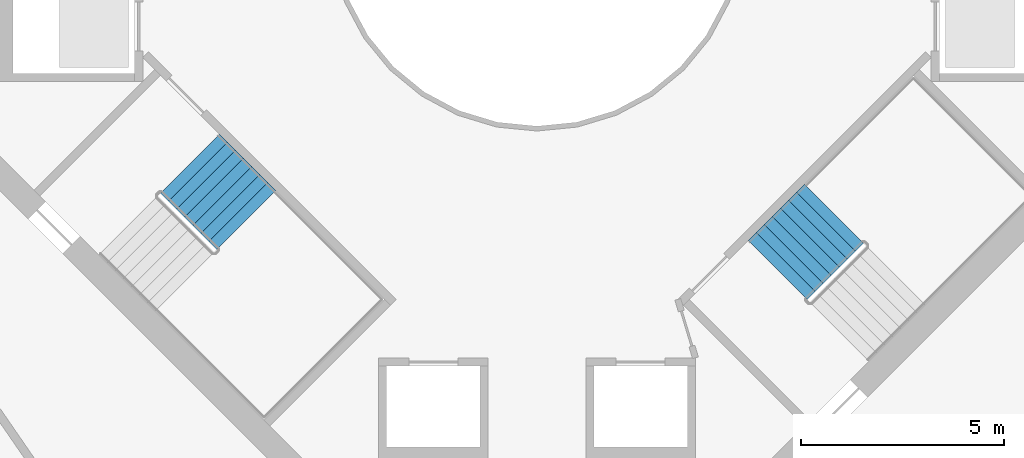
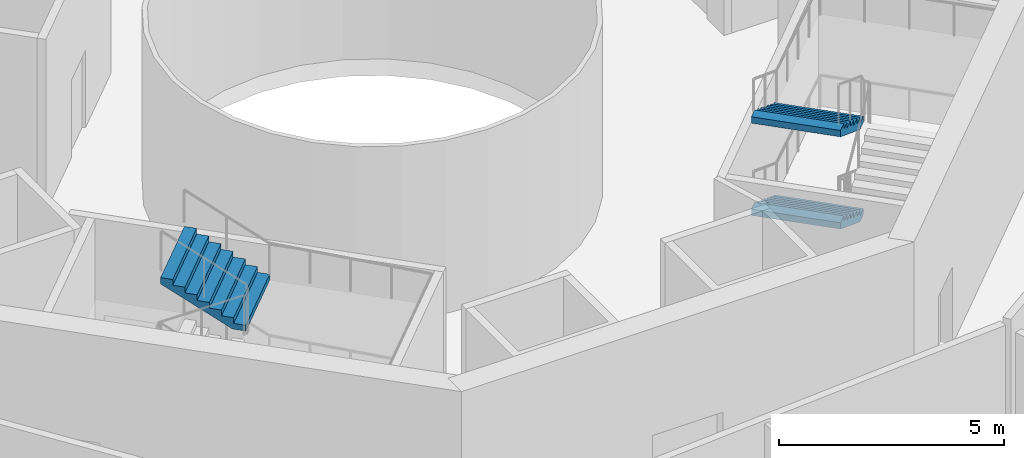
# One storey, part 16 of 21: 3 stair flights, 2 elements without a shape of their own.
"""IFC4 building model written with IfcOpenShell, lengths in metres."""

import ifcopenshell
import ifcopenshell.guid

model = None  # the IFC model being written
_history = None  # IfcOwnerHistory: only IFC2X3 demands one
_inside = {}  # id of a spatial element -> (the spatial element, [elements in it])
_under = {}  # id of a project, library or spatial element -> (it, [spatial elements below it])
_declared = {}  # id of a project -> (the project, [libraries it declares])
_typed = {}  # id of a type object -> (the type object, [elements of that type])
_made_of = {}  # id of a material, layer set ... -> (it, [elements and type objects made of it])


def new_model(schema):
    """Start an empty IFC model of exactly this schema.

    Asked for "IFC4X3", IfcOpenShell would pick the latest addendum, in which some entities
    have other attributes; the version numbers below select the first issue.
    IFC2X3 requires an IfcOwnerHistory on every rooted entity: one is made here for all.
    """
    global model, _history
    if schema == "IFC4X3":
        model = ifcopenshell.file(schema_version=(4, 3, 0, 0))
    else:
        model = ifcopenshell.file(schema=schema)
    _inside.clear()
    _under.clear()
    _declared.clear()
    _typed.clear()
    _made_of.clear()
    _history = None
    if model.schema == "IFC2X3":
        org = make("IfcOrganization", Name="unknown")
        user = make(
            "IfcPersonAndOrganization",
            ThePerson=make("IfcPerson", FamilyName="unknown"),
            TheOrganization=org,
        )
        app = make(
            "IfcApplication",
            ApplicationDeveloper=org,
            Version="unknown",
            ApplicationFullName="unknown",
            ApplicationIdentifier="unknown",
        )
        _history = make(
            "IfcOwnerHistory",
            OwningUser=user,
            OwningApplication=app,
            ChangeAction="ADDED",
            CreationDate=0,
        )
    return model


def make(cls, **values):
    """One entity of the class cls with the attributes given. An attribute that is None is left unset."""
    return model.create_entity(
        cls, **{name: value for name, value in values.items() if value is not None}
    )


def rooted(cls, **values):
    """An entity with a GlobalId (a new one), such as an element, a storey or a relation."""
    return make(cls, GlobalId=ifcopenshell.guid.new(), OwnerHistory=_history, **values)


def si_unit(unit_type, name, prefix=None):
    """IfcSIUnit, for example si_unit("LENGTHUNIT", "METRE", prefix="MILLI")."""
    return make("IfcSIUnit", UnitType=unit_type, Prefix=prefix, Name=name)


def assignment(units):
    """IfcUnitAssignment: the units of a project."""
    return None if units is None else make("IfcUnitAssignment", Units=units)


def point(xyz):
    """IfcCartesianPoint."""
    return None if xyz is None else make("IfcCartesianPoint", Coordinates=xyz)


def direction(xyz):
    """IfcDirection."""
    return None if xyz is None else make("IfcDirection", DirectionRatios=xyz)


def frame(location, z_axis=None, x_axis=None):
    """IfcAxis2Placement3D, a coordinate frame: its origin and axes. An axis left out is left unset."""
    return make(
        "IfcAxis2Placement3D",
        Location=point(location),
        Axis=direction(z_axis),
        RefDirection=direction(x_axis),
    )


def origin():
    """The frame at (0, 0, 0) with its axes left unset."""
    return frame((0.0, 0.0, 0.0))


def place(relative_to, where):
    """IfcLocalPlacement: puts the frame where relative to a parent placement (None: the world)."""
    return make(
        "IfcLocalPlacement", PlacementRelTo=relative_to, RelativePlacement=where
    )


def context(
    kind, dimensions, precision=None, world=None, true_north=None, identifier=None
):
    """IfcGeometricRepresentationContext, for example the 3D "Model" context."""
    return make(
        "IfcGeometricRepresentationContext",
        ContextIdentifier=identifier,
        ContextType=kind,
        CoordinateSpaceDimension=dimensions,
        Precision=precision,
        WorldCoordinateSystem=world,
        TrueNorth=true_north,
    )


def subcontext(parent, identifier, kind, view, scale=None):
    """IfcGeometricRepresentationSubContext, for example "Body" below "Model"."""
    return make(
        "IfcGeometricRepresentationSubContext",
        ContextIdentifier=identifier,
        ContextType=kind,
        ParentContext=parent,
        TargetScale=scale,
        TargetView=view,
    )


def project(units=None, contexts=None):
    """IfcProject with its units and contexts."""
    return rooted(
        "IfcProject",
        Name="project",
        RepresentationContexts=contexts,
        UnitsInContext=assignment(units),
    )


def spatial(cls, under=None, at=None, **own):
    """A site, building, storey or space (cls), placed at a placement, below another one or the project."""
    s = rooted(cls, ObjectPlacement=at, **own)
    if under is not None:
        _under.setdefault(under.id(), (under, []))[1].append(s)
    return s


def point_list(points):
    """IfcCartesianPointList2D or 3D."""
    cls = (
        "IfcCartesianPointList2D" if len(points[0]) == 2 else "IfcCartesianPointList3D"
    )
    return make(cls, CoordList=points)


def triangles(points, corners, closed=None, point_numbers=None):
    """IfcTriangulatedFaceSet: each triangle names its three corners, points numbered from 1."""
    return make(
        "IfcTriangulatedFaceSet",
        Coordinates=point_list(points),
        Closed=closed,
        CoordIndex=corners,
        PnIndex=point_numbers,
    )


def shape(context_of_items, identifier, shape_type, items):
    """IfcShapeRepresentation: the items that make up one representation, for example the "Body"."""
    return make(
        "IfcShapeRepresentation",
        ContextOfItems=context_of_items,
        RepresentationIdentifier=identifier,
        RepresentationType=shape_type,
        Items=items,
    )


def material(Name=None, Category=None):
    """IfcMaterial."""
    return make("IfcMaterial", Name=Name, Category=Category)


def made_of(thing, what):
    """Note that an element or type object is made of a material, layer set ...; save() writes the relation."""
    if what is not None:
        _made_of.setdefault(what.id(), (what, []))[1].append(thing)
    return thing


def type_object(cls, material=None, **own):
    """A type object (cls), such as IfcWallType, which elements share."""
    return made_of(rooted(cls, **own), material)


def element(
    cls,
    number,
    at=None,
    inside=None,
    cuts=None,
    type_object=None,
    material=None,
    context=None,
    identifier="Body",
    shape_type=None,
    held_by="IfcProductDefinitionShape",
    body=None,
    shapes=None,
    **own,
):
    """One element of the class cls, such as IfcWall. Its Tag is "e" and its number.

    at: its placement. inside: the storey or other place that contains it. cuts: it is an
    opening in that element (IfcRelVoidsElement). A single representation is given by context,
    identifier, shape_type and body (its items); several are given by shapes. held_by: the class
    of the entity that holds the representations. save() writes the other relations.
    """
    e = rooted(cls, Tag="e%d" % number, ObjectPlacement=at, **own)
    if body is not None:
        shapes = [shape(context, identifier, shape_type, body)]
    if shapes is not None:
        e.Representation = make(held_by, Representations=shapes)
    if inside is not None:
        _inside.setdefault(inside.id(), (inside, []))[1].append(e)
    if cuts is not None:
        rooted(
            "IfcRelVoidsElement", RelatingBuildingElement=cuts, RelatedOpeningElement=e
        )
    if type_object is not None:
        _typed.setdefault(type_object.id(), (type_object, []))[1].append(e)
    return made_of(e, material)


def aggregate(whole, parts):
    """IfcRelAggregates: a whole, such as a stair, and the parts it consists of."""
    return rooted("IfcRelAggregates", RelatingObject=whole, RelatedObjects=parts)


def save(model, path):
    """Write the relations noted so far, then the file.

    IfcRelAggregates (storeys below a building ...), IfcRelContainedInSpatialStructure (elements
    in a storey), IfcRelDefinesByType, IfcRelAssociatesMaterial and IfcRelDeclares: one each for
    every whole, place, type object, material and project.
    """
    for whole, parts in _under.values():
        aggregate(whole, parts)
    for where, things in _inside.values():
        rooted(
            "IfcRelContainedInSpatialStructure",
            RelatedElements=things,
            RelatingStructure=where,
        )
    for kind, things in _typed.values():
        rooted("IfcRelDefinesByType", RelatedObjects=things, RelatingType=kind)
    for what, things in _made_of.values():
        rooted("IfcRelAssociatesMaterial", RelatedObjects=things, RelatingMaterial=what)
    for by, libraries in _declared.values():
        rooted("IfcRelDeclares", RelatingContext=by, RelatedDefinitions=libraries)
    model.write(path)


model = new_model("IFC4")

# Units and contexts
model_context = context("Model", 3, precision=1e-05, world=origin(), true_north=direction((0.0, 1.0)))
body_context = subcontext(model_context, "Body", "Model", "MODEL_VIEW")
ifc_project = project(units=[si_unit("LENGTHUNIT", "METRE"), si_unit("AREAUNIT", "SQUARE_METRE"), si_unit("VOLUMEUNIT", "CUBIC_METRE"), si_unit("PLANEANGLEUNIT", "RADIAN"), si_unit("MASSUNIT", "GRAM", prefix="KILO")], contexts=[model_context])

# Site, building, storey
site_placement = place(None, origin())
site = spatial("IfcSite", under=ifc_project, at=site_placement, CompositionType="ELEMENT")
building_placement = place(site_placement, origin())
building = spatial("IfcBuilding", under=site, at=building_placement, Name="Verdalira Terraces Hotel", CompositionType="ELEMENT")
storey_placement = place(building_placement, frame((0.0, 0.0, 175.0)))
storey = spatial("IfcBuildingStorey", under=building, at=storey_placement, Name="L42", CompositionType="ELEMENT", Elevation=175.0)

# Stair, stair flight
ifc_material_1 = material(Name="Concrete C40", Category="concrete")
stair_type = type_object("IfcStairType", Name="Core stair 32 risers 2050 mm wide", PredefinedType="HALF_TURN_STAIR", material=ifc_material_1)
stair_1_placement = place(storey_placement, origin())
stair_1 = element("IfcStair", 1, at=stair_1_placement, inside=storey, type_object=stair_type, Name="L42 Exit stair ST2", PredefinedType="HALF_TURN_STAIR")
ifc_material_2 = material(Name="Concrete C40", Category="concrete")
stair_flight_type = type_object("IfcStairFlightType", Name="Core stair flight 32 risers 2050 mm wide", PredefinedType="STRAIGHT", material=ifc_material_2)
stair_flight_1_placement = place(storey_placement, frame((-7.152344, -7.307861, 3.75), z_axis=(0.0, 0.0, 1.0), x_axis=(-0.707106781, 0.707106781, 0.0)))
stair_flight_1 = element("IfcStairFlight", 2, at=stair_flight_1_placement, type_object=stair_flight_type, Name="ST2 flight 4", NumberOfRisers=8, NumberOfTreads=7, PredefinedType="STRAIGHT", RiserHeight=0.15625, TreadLength=0.28, context=body_context, shape_type="Tessellation", body=[
    triangles([(0.0, 1.025024, 0.0), (0.307617, 1.025024, 0.0), (1.959961, 1.025024, 0.922119), (0.0, -1.025024, 0.0), (0.307617, -1.025024, 0.0), (1.959961, -1.025024, 0.922119), (1.959961, 1.025024, 1.09375), (1.679932, 1.025024, 1.09375), (1.959961, -1.025024, 1.09375), (1.679932, -1.025024, 1.09375), (1.679932, 1.025024, 0.9375), (1.679932, -1.025024, 0.9375), (1.399902, 1.025024, 0.9375), (1.399902, -1.025024, 0.9375), (1.399902, 1.025024, 0.78125), (1.399902, -1.025024, 0.78125), (1.120117, 1.025024, 0.78125), (1.120117, 1.025024, 0.625), (1.120117, -1.025024, 0.78125), (1.120117, -1.025024, 0.625), (0.840088, 1.025024, 0.625), (0.840088, 1.025024, 0.46875), (0.840088, -1.025024, 0.625), (0.840088, -1.025024, 0.46875), (0.560059, 1.025024, 0.46875), (0.560059, 1.025024, 0.3125), (0.560059, -1.025024, 0.46875), (0.560059, -1.025024, 0.3125), (0.280029, 1.025024, 0.3125), (0.280029, 1.025024, 0.15625), (0.280029, -1.025024, 0.3125), (0.280029, -1.025024, 0.15625), (0.0, 1.025024, 0.15625), (0.0, -1.025024, 0.15625), (0.0, -0.96096, 0.0), (0.0, -0.96096, 0.15625), (0.0, -0.896896, 0.0), (0.0, -0.896896, 0.15625), (0.0, -0.832832, 0.0), (0.0, -0.832832, 0.15625), (0.0, -0.768768, 0.0), (0.0, -0.768768, 0.15625), (0.0, -0.704704, 0.0), (0.0, -0.704704, 0.15625), (0.0, -0.64064, 0.0), (0.0, -0.64064, 0.15625), (0.0, -0.576576, 0.0), (0.0, -0.576576, 0.15625), (0.0, -0.512512, 0.0), (0.0, -0.512512, 0.15625), (0.0, -0.448448, 0.0), (0.0, -0.448448, 0.15625), (0.0, -0.384384, 0.0), (0.0, -0.384384, 0.15625), (0.0, -0.32032, 0.0), (0.0, -0.32032, 0.15625), (0.0, -0.256256, 0.0), (0.0, -0.256256, 0.15625), (0.0, -0.192192, 0.0), (0.0, -0.192192, 0.15625), (0.0, -0.128128, 0.0), (0.0, -0.128128, 0.15625), (0.0, -0.064064, 0.0), (0.0, -0.064064, 0.15625), (0.0, 0.0, 0.0), (0.0, 0.0, 0.15625), (0.0, 0.064064, 0.0), (0.0, 0.064064, 0.15625), (0.0, 0.128128, 0.0), (0.0, 0.128128, 0.15625), (0.0, 0.192192, 0.0), (0.0, 0.192192, 0.15625), (0.0, 0.256256, 0.0), (0.0, 0.256256, 0.15625), (0.0, 0.32032, 0.0), (0.0, 0.32032, 0.15625), (0.0, 0.384384, 0.0), (0.0, 0.384384, 0.15625), (0.0, 0.448448, 0.0), (0.0, 0.448448, 0.15625), (0.0, 0.512512, 0.0), (0.0, 0.512512, 0.15625), (0.0, 0.576576, 0.0), (0.0, 0.576576, 0.15625), (0.0, 0.64064, 0.0), (0.0, 0.64064, 0.15625), (0.0, 0.704704, 0.0), (0.0, 0.704704, 0.15625), (0.0, 0.768768, 0.0), (0.0, 0.768768, 0.15625), (0.0, 0.832832, 0.0), (0.0, 0.832832, 0.15625), (0.0, 0.896896, 0.0), (0.0, 0.896896, 0.15625), (0.0, 0.96096, 0.0), (0.0, 0.96096, 0.15625), (1.959961, -0.96096, 1.09375), (1.959961, -0.896896, 1.09375), (1.959961, -0.832832, 1.09375), (1.959961, -0.768768, 1.09375), (1.959961, -0.704704, 1.09375), (1.959961, -0.64064, 1.09375), (1.959961, -0.576576, 1.09375), (1.959961, -0.512512, 1.09375), (1.959961, -0.448448, 1.09375), (1.959961, -0.384384, 1.09375), (1.959961, -0.32032, 1.09375), (1.959961, -0.256256, 1.09375), (1.959961, -0.192192, 1.09375), (1.959961, -0.128128, 1.09375), (1.959961, -0.064064, 1.09375), (1.959961, 0.0, 1.09375), (1.959961, 0.064064, 1.09375), (1.959961, 0.128128, 1.09375), (1.959961, 0.192192, 1.09375), (1.959961, 0.256256, 1.09375), (1.959961, 0.32032, 1.09375), (1.959961, 0.384384, 1.09375), (1.959961, 0.448448, 1.09375), (1.959961, 0.512512, 1.09375), (1.959961, 0.576576, 1.09375), (1.959961, 0.64064, 1.09375), (1.959961, 0.704704, 1.09375), (1.959961, 0.768768, 1.09375), (1.959961, 0.832832, 1.09375), (1.959961, 0.896896, 1.09375), (1.959961, 0.96096, 1.09375), (1.959961, -0.96096, 0.922119), (1.959961, -0.896896, 0.922119), (1.959961, -0.832832, 0.922119), (1.959961, -0.768768, 0.922119), (1.959961, -0.704704, 0.922119), (1.959961, -0.64064, 0.922119), (1.959961, -0.576576, 0.922119), (1.959961, -0.512512, 0.922119), (1.959961, -0.448448, 0.922119), (1.959961, -0.384384, 0.922119), (1.959961, -0.32032, 0.922119), (1.959961, -0.256256, 0.922119), (1.959961, -0.192192, 0.922119), (1.959961, -0.128128, 0.922119), (1.959961, -0.064064, 0.922119), (1.959961, 0.0, 0.922119), (1.959961, 0.064064, 0.922119), (1.959961, 0.128128, 0.922119), (1.959961, 0.192192, 0.922119), (1.959961, 0.256256, 0.922119), (1.959961, 0.32032, 0.922119), (1.959961, 0.384384, 0.922119), (1.959961, 0.448448, 0.922119), (1.959961, 0.512512, 0.922119), (1.959961, 0.576576, 0.922119), (1.959961, 0.64064, 0.922119), (1.959961, 0.704704, 0.922119), (1.959961, 0.768768, 0.922119), (1.959961, 0.832832, 0.922119), (1.959961, 0.896896, 0.922119), (1.959961, 0.96096, 0.922119)], [[1, 3, 2], [4, 5, 6], [3, 8, 7], [6, 9, 10], [3, 11, 8], [6, 10, 12], [3, 13, 11], [6, 12, 14], [3, 15, 13], [6, 14, 16], [15, 18, 17], [16, 19, 20], [3, 18, 15], [6, 16, 20], [18, 22, 21], [20, 23, 24], [3, 22, 18], [6, 20, 24], [22, 26, 25], [24, 27, 28], [3, 26, 22], [6, 24, 28], [26, 30, 29], [28, 31, 32], [3, 30, 26], [6, 28, 32], [1, 30, 3], [4, 6, 32], [30, 1, 33], [32, 34, 4], [4, 36, 35], [4, 34, 36], [35, 38, 37], [35, 36, 38], [37, 40, 39], [37, 38, 40], [39, 42, 41], [39, 40, 42], [41, 44, 43], [41, 42, 44], [43, 46, 45], [43, 44, 46], [45, 48, 47], [45, 46, 48], [47, 50, 49], [47, 48, 50], [49, 52, 51], [49, 50, 52], [51, 54, 53], [51, 52, 54], [53, 56, 55], [53, 54, 56], [55, 58, 57], [55, 56, 58], [57, 60, 59], [57, 58, 60], [59, 62, 61], [59, 60, 62], [61, 64, 63], [61, 62, 64], [63, 66, 65], [63, 64, 66], [65, 68, 67], [65, 66, 68], [67, 70, 69], [67, 68, 70], [69, 72, 71], [69, 70, 72], [71, 74, 73], [71, 72, 74], [73, 76, 75], [73, 74, 76], [75, 78, 77], [75, 76, 78], [77, 80, 79], [77, 78, 80], [79, 82, 81], [79, 80, 82], [81, 84, 83], [81, 82, 84], [83, 86, 85], [83, 84, 86], [85, 88, 87], [85, 86, 88], [87, 90, 89], [87, 88, 90], [89, 92, 91], [89, 90, 92], [91, 94, 93], [91, 92, 94], [93, 96, 95], [93, 94, 96], [95, 33, 1], [95, 96, 33], [34, 32, 36], [36, 32, 38], [38, 32, 40], [40, 32, 42], [42, 32, 44], [44, 32, 46], [46, 32, 48], [48, 32, 50], [50, 32, 52], [52, 32, 54], [54, 32, 56], [56, 32, 58], [58, 32, 60], [60, 32, 62], [62, 32, 64], [64, 32, 66], [66, 32, 68], [68, 32, 70], [70, 32, 72], [72, 32, 74], [74, 32, 76], [76, 32, 78], [78, 32, 80], [80, 32, 82], [82, 32, 84], [84, 32, 86], [86, 32, 88], [88, 32, 90], [90, 32, 92], [92, 32, 94], [94, 32, 96], [96, 32, 33], [33, 32, 30], [32, 29, 30], [32, 31, 29], [31, 26, 29], [31, 28, 26], [28, 25, 26], [28, 27, 25], [27, 22, 25], [27, 24, 22], [24, 21, 22], [24, 23, 21], [23, 18, 21], [23, 20, 18], [20, 17, 18], [20, 19, 17], [19, 15, 17], [19, 16, 15], [16, 13, 15], [16, 14, 13], [14, 11, 13], [14, 12, 11], [12, 8, 11], [12, 10, 8], [9, 97, 10], [97, 98, 10], [98, 99, 10], [99, 100, 10], [100, 101, 10], [101, 102, 10], [102, 103, 10], [103, 104, 10], [104, 105, 10], [105, 106, 10], [106, 107, 10], [107, 108, 10], [108, 109, 10], [109, 110, 10], [110, 111, 10], [111, 112, 10], [112, 113, 10], [113, 114, 10], [114, 115, 10], [115, 116, 10], [116, 117, 10], [117, 118, 10], [118, 119, 10], [119, 120, 10], [120, 121, 10], [121, 122, 10], [122, 123, 10], [123, 124, 10], [124, 125, 10], [125, 126, 10], [126, 127, 10], [127, 7, 10], [7, 8, 10], [9, 128, 97], [9, 6, 128], [97, 129, 98], [97, 128, 129], [98, 130, 99], [98, 129, 130], [99, 131, 100], [99, 130, 131], [100, 132, 101], [100, 131, 132], [101, 133, 102], [101, 132, 133], [102, 134, 103], [102, 133, 134], [103, 135, 104], [103, 134, 135], [104, 136, 105], [104, 135, 136], [105, 137, 106], [105, 136, 137], [106, 138, 107], [106, 137, 138], [107, 139, 108], [107, 138, 139], [108, 140, 109], [108, 139, 140], [109, 141, 110], [109, 140, 141], [110, 142, 111], [110, 141, 142], [111, 143, 112], [111, 142, 143], [112, 144, 113], [112, 143, 144], [113, 145, 114], [113, 144, 145], [114, 146, 115], [114, 145, 146], [115, 147, 116], [115, 146, 147], [116, 148, 117], [116, 147, 148], [117, 149, 118], [117, 148, 149], [118, 150, 119], [118, 149, 150], [119, 151, 120], [119, 150, 151], [120, 152, 121], [120, 151, 152], [121, 153, 122], [121, 152, 153], [122, 154, 123], [122, 153, 154], [123, 155, 124], [123, 154, 155], [124, 156, 125], [124, 155, 156], [125, 157, 126], [125, 156, 157], [126, 158, 127], [126, 157, 158], [127, 3, 7], [127, 158, 3], [6, 5, 128], [128, 5, 129], [129, 5, 130], [130, 5, 131], [131, 5, 132], [132, 5, 133], [133, 5, 134], [134, 5, 135], [135, 5, 136], [136, 5, 137], [137, 5, 138], [138, 5, 139], [139, 5, 140], [140, 5, 141], [141, 5, 142], [142, 5, 143], [143, 5, 144], [144, 5, 145], [145, 5, 146], [146, 5, 147], [147, 5, 148], [148, 5, 149], [149, 5, 150], [150, 5, 151], [151, 5, 152], [152, 5, 153], [153, 5, 154], [154, 5, 155], [155, 5, 156], [156, 5, 157], [157, 5, 158], [158, 5, 3], [3, 5, 2], [4, 35, 5], [35, 37, 5], [37, 39, 5], [39, 41, 5], [41, 43, 5], [43, 45, 5], [45, 47, 5], [47, 49, 5], [49, 51, 5], [51, 53, 5], [53, 55, 5], [55, 57, 5], [57, 59, 5], [59, 61, 5], [61, 63, 5], [63, 65, 5], [65, 67, 5], [67, 69, 5], [69, 71, 5], [71, 73, 5], [73, 75, 5], [75, 77, 5], [77, 79, 5], [79, 81, 5], [81, 83, 5], [83, 85, 5], [85, 87, 5], [87, 89, 5], [89, 91, 5], [91, 93, 5], [93, 95, 5], [95, 1, 5], [1, 2, 5]], closed=True),
])
aggregate(stair_1, [stair_flight_1])

# Stair, stair flights
stair_2_placement = place(storey_placement, origin())
stair_2 = element("IfcStair", 3, at=stair_2_placement, inside=storey, type_object=stair_type, Name="L42 Exit stair ST3", PredefinedType="HALF_TURN_STAIR")
stair_flight_2_placement = place(storey_placement, frame((7.307861, -7.152344, 1.25), z_axis=(0.0, 0.0, 1.0), x_axis=(-0.707106781, -0.707106781, 0.0)))
stair_flight_2 = element("IfcStairFlight", 4, at=stair_flight_2_placement, type_object=stair_flight_type, Name="ST3 flight 2", NumberOfRisers=8, NumberOfTreads=7, PredefinedType="STRAIGHT", RiserHeight=0.15625, TreadLength=0.28, context=body_context, shape_type="Tessellation", body=[
    triangles([(0.0, 1.025024, 0.0), (0.307617, 1.025024, 0.0), (1.959961, 1.025024, 0.922119), (0.0, -1.025024, 0.0), (0.307617, -1.025024, 0.0), (1.959961, -1.025024, 0.922119), (1.959961, 1.025024, 1.09375), (1.679932, 1.025024, 1.09375), (1.959961, -1.025024, 1.09375), (1.679932, -1.025024, 1.09375), (1.679932, 1.025024, 0.9375), (1.679932, -1.025024, 0.9375), (1.399902, 1.025024, 0.9375), (1.399902, -1.025024, 0.9375), (1.399902, 1.025024, 0.78125), (1.399902, -1.025024, 0.78125), (1.120117, 1.025024, 0.78125), (1.120117, 1.025024, 0.625), (1.120117, -1.025024, 0.78125), (1.120117, -1.025024, 0.625), (0.840088, 1.025024, 0.625), (0.840088, 1.025024, 0.46875), (0.840088, -1.025024, 0.625), (0.840088, -1.025024, 0.46875), (0.560059, 1.025024, 0.46875), (0.560059, 1.025024, 0.3125), (0.560059, -1.025024, 0.46875), (0.560059, -1.025024, 0.3125), (0.280029, 1.025024, 0.3125), (0.280029, 1.025024, 0.15625), (0.280029, -1.025024, 0.3125), (0.280029, -1.025024, 0.15625), (0.0, 1.025024, 0.15625), (0.0, -1.025024, 0.15625), (0.0, -0.96096, 0.0), (0.0, -0.96096, 0.15625), (0.0, -0.896896, 0.0), (0.0, -0.896896, 0.15625), (0.0, -0.832832, 0.0), (0.0, -0.832832, 0.15625), (0.0, -0.768768, 0.0), (0.0, -0.768768, 0.15625), (0.0, -0.704704, 0.0), (0.0, -0.704704, 0.15625), (0.0, -0.64064, 0.0), (0.0, -0.64064, 0.15625), (0.0, -0.576576, 0.0), (0.0, -0.576576, 0.15625), (0.0, -0.512512, 0.0), (0.0, -0.512512, 0.15625), (0.0, -0.448448, 0.0), (0.0, -0.448448, 0.15625), (0.0, -0.384384, 0.0), (0.0, -0.384384, 0.15625), (0.0, -0.32032, 0.0), (0.0, -0.32032, 0.15625), (0.0, -0.256256, 0.0), (0.0, -0.256256, 0.15625), (0.0, -0.192192, 0.0), (0.0, -0.192192, 0.15625), (0.0, -0.128128, 0.0), (0.0, -0.128128, 0.15625), (0.0, -0.064064, 0.0), (0.0, -0.064064, 0.15625), (0.0, 0.0, 0.0), (0.0, 0.0, 0.15625), (0.0, 0.064064, 0.0), (0.0, 0.064064, 0.15625), (0.0, 0.128128, 0.0), (0.0, 0.128128, 0.15625), (0.0, 0.192192, 0.0), (0.0, 0.192192, 0.15625), (0.0, 0.256256, 0.0), (0.0, 0.256256, 0.15625), (0.0, 0.32032, 0.0), (0.0, 0.32032, 0.15625), (0.0, 0.384384, 0.0), (0.0, 0.384384, 0.15625), (0.0, 0.448448, 0.0), (0.0, 0.448448, 0.15625), (0.0, 0.512512, 0.0), (0.0, 0.512512, 0.15625), (0.0, 0.576576, 0.0), (0.0, 0.576576, 0.15625), (0.0, 0.64064, 0.0), (0.0, 0.64064, 0.15625), (0.0, 0.704704, 0.0), (0.0, 0.704704, 0.15625), (0.0, 0.768768, 0.0), (0.0, 0.768768, 0.15625), (0.0, 0.832832, 0.0), (0.0, 0.832832, 0.15625), (0.0, 0.896896, 0.0), (0.0, 0.896896, 0.15625), (0.0, 0.96096, 0.0), (0.0, 0.96096, 0.15625), (1.959961, -0.96096, 1.09375), (1.959961, -0.896896, 1.09375), (1.959961, -0.832832, 1.09375), (1.959961, -0.768768, 1.09375), (1.959961, -0.704704, 1.09375), (1.959961, -0.64064, 1.09375), (1.959961, -0.576576, 1.09375), (1.959961, -0.512512, 1.09375), (1.959961, -0.448448, 1.09375), (1.959961, -0.384384, 1.09375), (1.959961, -0.32032, 1.09375), (1.959961, -0.256256, 1.09375), (1.959961, -0.192192, 1.09375), (1.959961, -0.128128, 1.09375), (1.959961, -0.064064, 1.09375), (1.959961, 0.0, 1.09375), (1.959961, 0.064064, 1.09375), (1.959961, 0.128128, 1.09375), (1.959961, 0.192192, 1.09375), (1.959961, 0.256256, 1.09375), (1.959961, 0.32032, 1.09375), (1.959961, 0.384384, 1.09375), (1.959961, 0.448448, 1.09375), (1.959961, 0.512512, 1.09375), (1.959961, 0.576576, 1.09375), (1.959961, 0.64064, 1.09375), (1.959961, 0.704704, 1.09375), (1.959961, 0.768768, 1.09375), (1.959961, 0.832832, 1.09375), (1.959961, 0.896896, 1.09375), (1.959961, 0.96096, 1.09375), (1.959961, -0.96096, 0.922119), (1.959961, -0.896896, 0.922119), (1.959961, -0.832832, 0.922119), (1.959961, -0.768768, 0.922119), (1.959961, -0.704704, 0.922119), (1.959961, -0.64064, 0.922119), (1.959961, -0.576576, 0.922119), (1.959961, -0.512512, 0.922119), (1.959961, -0.448448, 0.922119), (1.959961, -0.384384, 0.922119), (1.959961, -0.32032, 0.922119), (1.959961, -0.256256, 0.922119), (1.959961, -0.192192, 0.922119), (1.959961, -0.128128, 0.922119), (1.959961, -0.064064, 0.922119), (1.959961, 0.0, 0.922119), (1.959961, 0.064064, 0.922119), (1.959961, 0.128128, 0.922119), (1.959961, 0.192192, 0.922119), (1.959961, 0.256256, 0.922119), (1.959961, 0.32032, 0.922119), (1.959961, 0.384384, 0.922119), (1.959961, 0.448448, 0.922119), (1.959961, 0.512512, 0.922119), (1.959961, 0.576576, 0.922119), (1.959961, 0.64064, 0.922119), (1.959961, 0.704704, 0.922119), (1.959961, 0.768768, 0.922119), (1.959961, 0.832832, 0.922119), (1.959961, 0.896896, 0.922119), (1.959961, 0.96096, 0.922119)], [[1, 3, 2], [4, 5, 6], [3, 8, 7], [6, 9, 10], [3, 11, 8], [6, 10, 12], [3, 13, 11], [6, 12, 14], [3, 15, 13], [6, 14, 16], [15, 18, 17], [16, 19, 20], [3, 18, 15], [6, 16, 20], [18, 22, 21], [20, 23, 24], [3, 22, 18], [6, 20, 24], [22, 26, 25], [24, 27, 28], [3, 26, 22], [6, 24, 28], [26, 30, 29], [28, 31, 32], [3, 30, 26], [6, 28, 32], [1, 30, 3], [4, 6, 32], [30, 1, 33], [32, 34, 4], [4, 36, 35], [4, 34, 36], [35, 38, 37], [35, 36, 38], [37, 40, 39], [37, 38, 40], [39, 42, 41], [39, 40, 42], [41, 44, 43], [41, 42, 44], [43, 46, 45], [43, 44, 46], [45, 48, 47], [45, 46, 48], [47, 50, 49], [47, 48, 50], [49, 52, 51], [49, 50, 52], [51, 54, 53], [51, 52, 54], [53, 56, 55], [53, 54, 56], [55, 58, 57], [55, 56, 58], [57, 60, 59], [57, 58, 60], [59, 62, 61], [59, 60, 62], [61, 64, 63], [61, 62, 64], [63, 66, 65], [63, 64, 66], [65, 68, 67], [65, 66, 68], [67, 70, 69], [67, 68, 70], [69, 72, 71], [69, 70, 72], [71, 74, 73], [71, 72, 74], [73, 76, 75], [73, 74, 76], [75, 78, 77], [75, 76, 78], [77, 80, 79], [77, 78, 80], [79, 82, 81], [79, 80, 82], [81, 84, 83], [81, 82, 84], [83, 86, 85], [83, 84, 86], [85, 88, 87], [85, 86, 88], [87, 90, 89], [87, 88, 90], [89, 92, 91], [89, 90, 92], [91, 94, 93], [91, 92, 94], [93, 96, 95], [93, 94, 96], [95, 33, 1], [95, 96, 33], [34, 32, 36], [36, 32, 38], [38, 32, 40], [40, 32, 42], [42, 32, 44], [44, 32, 46], [46, 32, 48], [48, 32, 50], [50, 32, 52], [52, 32, 54], [54, 32, 56], [56, 32, 58], [58, 32, 60], [60, 32, 62], [62, 32, 64], [64, 32, 66], [66, 32, 68], [68, 32, 70], [70, 32, 72], [72, 32, 74], [74, 32, 76], [76, 32, 78], [78, 32, 80], [80, 32, 82], [82, 32, 84], [84, 32, 86], [86, 32, 88], [88, 32, 90], [90, 32, 92], [92, 32, 94], [94, 32, 96], [96, 32, 33], [33, 32, 30], [32, 29, 30], [32, 31, 29], [31, 26, 29], [31, 28, 26], [28, 25, 26], [28, 27, 25], [27, 22, 25], [27, 24, 22], [24, 21, 22], [24, 23, 21], [23, 18, 21], [23, 20, 18], [20, 17, 18], [20, 19, 17], [19, 15, 17], [19, 16, 15], [16, 13, 15], [16, 14, 13], [14, 11, 13], [14, 12, 11], [12, 8, 11], [12, 10, 8], [9, 97, 10], [97, 98, 10], [98, 99, 10], [99, 100, 10], [100, 101, 10], [101, 102, 10], [102, 103, 10], [103, 104, 10], [104, 105, 10], [105, 106, 10], [106, 107, 10], [107, 108, 10], [108, 109, 10], [109, 110, 10], [110, 111, 10], [111, 112, 10], [112, 113, 10], [113, 114, 10], [114, 115, 10], [115, 116, 10], [116, 117, 10], [117, 118, 10], [118, 119, 10], [119, 120, 10], [120, 121, 10], [121, 122, 10], [122, 123, 10], [123, 124, 10], [124, 125, 10], [125, 126, 10], [126, 127, 10], [127, 7, 10], [7, 8, 10], [9, 128, 97], [9, 6, 128], [97, 129, 98], [97, 128, 129], [98, 130, 99], [98, 129, 130], [99, 131, 100], [99, 130, 131], [100, 132, 101], [100, 131, 132], [101, 133, 102], [101, 132, 133], [102, 134, 103], [102, 133, 134], [103, 135, 104], [103, 134, 135], [104, 136, 105], [104, 135, 136], [105, 137, 106], [105, 136, 137], [106, 138, 107], [106, 137, 138], [107, 139, 108], [107, 138, 139], [108, 140, 109], [108, 139, 140], [109, 141, 110], [109, 140, 141], [110, 142, 111], [110, 141, 142], [111, 143, 112], [111, 142, 143], [112, 144, 113], [112, 143, 144], [113, 145, 114], [113, 144, 145], [114, 146, 115], [114, 145, 146], [115, 147, 116], [115, 146, 147], [116, 148, 117], [116, 147, 148], [117, 149, 118], [117, 148, 149], [118, 150, 119], [118, 149, 150], [119, 151, 120], [119, 150, 151], [120, 152, 121], [120, 151, 152], [121, 153, 122], [121, 152, 153], [122, 154, 123], [122, 153, 154], [123, 155, 124], [123, 154, 155], [124, 156, 125], [124, 155, 156], [125, 157, 126], [125, 156, 157], [126, 158, 127], [126, 157, 158], [127, 3, 7], [127, 158, 3], [6, 5, 128], [128, 5, 129], [129, 5, 130], [130, 5, 131], [131, 5, 132], [132, 5, 133], [133, 5, 134], [134, 5, 135], [135, 5, 136], [136, 5, 137], [137, 5, 138], [138, 5, 139], [139, 5, 140], [140, 5, 141], [141, 5, 142], [142, 5, 143], [143, 5, 144], [144, 5, 145], [145, 5, 146], [146, 5, 147], [147, 5, 148], [148, 5, 149], [149, 5, 150], [150, 5, 151], [151, 5, 152], [152, 5, 153], [153, 5, 154], [154, 5, 155], [155, 5, 156], [156, 5, 157], [157, 5, 158], [158, 5, 3], [3, 5, 2], [4, 35, 5], [35, 37, 5], [37, 39, 5], [39, 41, 5], [41, 43, 5], [43, 45, 5], [45, 47, 5], [47, 49, 5], [49, 51, 5], [51, 53, 5], [53, 55, 5], [55, 57, 5], [57, 59, 5], [59, 61, 5], [61, 63, 5], [63, 65, 5], [65, 67, 5], [67, 69, 5], [69, 71, 5], [71, 73, 5], [73, 75, 5], [75, 77, 5], [77, 79, 5], [79, 81, 5], [81, 83, 5], [83, 85, 5], [85, 87, 5], [87, 89, 5], [89, 91, 5], [91, 93, 5], [93, 95, 5], [95, 1, 5], [1, 2, 5]], closed=True),
])
stair_flight_3_placement = place(storey_placement, frame((7.307861, -7.152344, 3.75), z_axis=(0.0, 0.0, 1.0), x_axis=(-0.707106781, -0.707106781, 0.0)))
stair_flight_3 = element("IfcStairFlight", 5, at=stair_flight_3_placement, type_object=stair_flight_type, Name="ST3 flight 4", NumberOfRisers=8, NumberOfTreads=7, PredefinedType="STRAIGHT", RiserHeight=0.15625, TreadLength=0.28, context=body_context, shape_type="Tessellation", body=[
    triangles([(0.0, 1.025024, 0.0), (0.307617, 1.025024, 0.0), (1.959961, 1.025024, 0.922119), (0.0, -1.025024, 0.0), (0.307617, -1.025024, 0.0), (1.959961, -1.025024, 0.922119), (1.959961, 1.025024, 1.09375), (1.679932, 1.025024, 1.09375), (1.959961, -1.025024, 1.09375), (1.679932, -1.025024, 1.09375), (1.679932, 1.025024, 0.9375), (1.679932, -1.025024, 0.9375), (1.399902, 1.025024, 0.9375), (1.399902, -1.025024, 0.9375), (1.399902, 1.025024, 0.78125), (1.399902, -1.025024, 0.78125), (1.120117, 1.025024, 0.78125), (1.120117, 1.025024, 0.625), (1.120117, -1.025024, 0.78125), (1.120117, -1.025024, 0.625), (0.840088, 1.025024, 0.625), (0.840088, 1.025024, 0.46875), (0.840088, -1.025024, 0.625), (0.840088, -1.025024, 0.46875), (0.560059, 1.025024, 0.46875), (0.560059, 1.025024, 0.3125), (0.560059, -1.025024, 0.46875), (0.560059, -1.025024, 0.3125), (0.280029, 1.025024, 0.3125), (0.280029, 1.025024, 0.15625), (0.280029, -1.025024, 0.3125), (0.280029, -1.025024, 0.15625), (0.0, 1.025024, 0.15625), (0.0, -1.025024, 0.15625), (0.0, -0.96096, 0.0), (0.0, -0.96096, 0.15625), (0.0, -0.896896, 0.0), (0.0, -0.896896, 0.15625), (0.0, -0.832832, 0.0), (0.0, -0.832832, 0.15625), (0.0, -0.768768, 0.0), (0.0, -0.768768, 0.15625), (0.0, -0.704704, 0.0), (0.0, -0.704704, 0.15625), (0.0, -0.64064, 0.0), (0.0, -0.64064, 0.15625), (0.0, -0.576576, 0.0), (0.0, -0.576576, 0.15625), (0.0, -0.512512, 0.0), (0.0, -0.512512, 0.15625), (0.0, -0.448448, 0.0), (0.0, -0.448448, 0.15625), (0.0, -0.384384, 0.0), (0.0, -0.384384, 0.15625), (0.0, -0.32032, 0.0), (0.0, -0.32032, 0.15625), (0.0, -0.256256, 0.0), (0.0, -0.256256, 0.15625), (0.0, -0.192192, 0.0), (0.0, -0.192192, 0.15625), (0.0, -0.128128, 0.0), (0.0, -0.128128, 0.15625), (0.0, -0.064064, 0.0), (0.0, -0.064064, 0.15625), (0.0, 0.0, 0.0), (0.0, 0.0, 0.15625), (0.0, 0.064064, 0.0), (0.0, 0.064064, 0.15625), (0.0, 0.128128, 0.0), (0.0, 0.128128, 0.15625), (0.0, 0.192192, 0.0), (0.0, 0.192192, 0.15625), (0.0, 0.256256, 0.0), (0.0, 0.256256, 0.15625), (0.0, 0.32032, 0.0), (0.0, 0.32032, 0.15625), (0.0, 0.384384, 0.0), (0.0, 0.384384, 0.15625), (0.0, 0.448448, 0.0), (0.0, 0.448448, 0.15625), (0.0, 0.512512, 0.0), (0.0, 0.512512, 0.15625), (0.0, 0.576576, 0.0), (0.0, 0.576576, 0.15625), (0.0, 0.64064, 0.0), (0.0, 0.64064, 0.15625), (0.0, 0.704704, 0.0), (0.0, 0.704704, 0.15625), (0.0, 0.768768, 0.0), (0.0, 0.768768, 0.15625), (0.0, 0.832832, 0.0), (0.0, 0.832832, 0.15625), (0.0, 0.896896, 0.0), (0.0, 0.896896, 0.15625), (0.0, 0.96096, 0.0), (0.0, 0.96096, 0.15625), (1.959961, -0.96096, 1.09375), (1.959961, -0.896896, 1.09375), (1.959961, -0.832832, 1.09375), (1.959961, -0.768768, 1.09375), (1.959961, -0.704704, 1.09375), (1.959961, -0.64064, 1.09375), (1.959961, -0.576576, 1.09375), (1.959961, -0.512512, 1.09375), (1.959961, -0.448448, 1.09375), (1.959961, -0.384384, 1.09375), (1.959961, -0.32032, 1.09375), (1.959961, -0.256256, 1.09375), (1.959961, -0.192192, 1.09375), (1.959961, -0.128128, 1.09375), (1.959961, -0.064064, 1.09375), (1.959961, 0.0, 1.09375), (1.959961, 0.064064, 1.09375), (1.959961, 0.128128, 1.09375), (1.959961, 0.192192, 1.09375), (1.959961, 0.256256, 1.09375), (1.959961, 0.32032, 1.09375), (1.959961, 0.384384, 1.09375), (1.959961, 0.448448, 1.09375), (1.959961, 0.512512, 1.09375), (1.959961, 0.576576, 1.09375), (1.959961, 0.64064, 1.09375), (1.959961, 0.704704, 1.09375), (1.959961, 0.768768, 1.09375), (1.959961, 0.832832, 1.09375), (1.959961, 0.896896, 1.09375), (1.959961, 0.96096, 1.09375), (1.959961, -0.96096, 0.922119), (1.959961, -0.896896, 0.922119), (1.959961, -0.832832, 0.922119), (1.959961, -0.768768, 0.922119), (1.959961, -0.704704, 0.922119), (1.959961, -0.64064, 0.922119), (1.959961, -0.576576, 0.922119), (1.959961, -0.512512, 0.922119), (1.959961, -0.448448, 0.922119), (1.959961, -0.384384, 0.922119), (1.959961, -0.32032, 0.922119), (1.959961, -0.256256, 0.922119), (1.959961, -0.192192, 0.922119), (1.959961, -0.128128, 0.922119), (1.959961, -0.064064, 0.922119), (1.959961, 0.0, 0.922119), (1.959961, 0.064064, 0.922119), (1.959961, 0.128128, 0.922119), (1.959961, 0.192192, 0.922119), (1.959961, 0.256256, 0.922119), (1.959961, 0.32032, 0.922119), (1.959961, 0.384384, 0.922119), (1.959961, 0.448448, 0.922119), (1.959961, 0.512512, 0.922119), (1.959961, 0.576576, 0.922119), (1.959961, 0.64064, 0.922119), (1.959961, 0.704704, 0.922119), (1.959961, 0.768768, 0.922119), (1.959961, 0.832832, 0.922119), (1.959961, 0.896896, 0.922119), (1.959961, 0.96096, 0.922119)], [[1, 3, 2], [4, 5, 6], [3, 8, 7], [6, 9, 10], [3, 11, 8], [6, 10, 12], [3, 13, 11], [6, 12, 14], [3, 15, 13], [6, 14, 16], [15, 18, 17], [16, 19, 20], [3, 18, 15], [6, 16, 20], [18, 22, 21], [20, 23, 24], [3, 22, 18], [6, 20, 24], [22, 26, 25], [24, 27, 28], [3, 26, 22], [6, 24, 28], [26, 30, 29], [28, 31, 32], [3, 30, 26], [6, 28, 32], [1, 30, 3], [4, 6, 32], [30, 1, 33], [32, 34, 4], [4, 36, 35], [4, 34, 36], [35, 38, 37], [35, 36, 38], [37, 40, 39], [37, 38, 40], [39, 42, 41], [39, 40, 42], [41, 44, 43], [41, 42, 44], [43, 46, 45], [43, 44, 46], [45, 48, 47], [45, 46, 48], [47, 50, 49], [47, 48, 50], [49, 52, 51], [49, 50, 52], [51, 54, 53], [51, 52, 54], [53, 56, 55], [53, 54, 56], [55, 58, 57], [55, 56, 58], [57, 60, 59], [57, 58, 60], [59, 62, 61], [59, 60, 62], [61, 64, 63], [61, 62, 64], [63, 66, 65], [63, 64, 66], [65, 68, 67], [65, 66, 68], [67, 70, 69], [67, 68, 70], [69, 72, 71], [69, 70, 72], [71, 74, 73], [71, 72, 74], [73, 76, 75], [73, 74, 76], [75, 78, 77], [75, 76, 78], [77, 80, 79], [77, 78, 80], [79, 82, 81], [79, 80, 82], [81, 84, 83], [81, 82, 84], [83, 86, 85], [83, 84, 86], [85, 88, 87], [85, 86, 88], [87, 90, 89], [87, 88, 90], [89, 92, 91], [89, 90, 92], [91, 94, 93], [91, 92, 94], [93, 96, 95], [93, 94, 96], [95, 33, 1], [95, 96, 33], [34, 32, 36], [36, 32, 38], [38, 32, 40], [40, 32, 42], [42, 32, 44], [44, 32, 46], [46, 32, 48], [48, 32, 50], [50, 32, 52], [52, 32, 54], [54, 32, 56], [56, 32, 58], [58, 32, 60], [60, 32, 62], [62, 32, 64], [64, 32, 66], [66, 32, 68], [68, 32, 70], [70, 32, 72], [72, 32, 74], [74, 32, 76], [76, 32, 78], [78, 32, 80], [80, 32, 82], [82, 32, 84], [84, 32, 86], [86, 32, 88], [88, 32, 90], [90, 32, 92], [92, 32, 94], [94, 32, 96], [96, 32, 33], [33, 32, 30], [32, 29, 30], [32, 31, 29], [31, 26, 29], [31, 28, 26], [28, 25, 26], [28, 27, 25], [27, 22, 25], [27, 24, 22], [24, 21, 22], [24, 23, 21], [23, 18, 21], [23, 20, 18], [20, 17, 18], [20, 19, 17], [19, 15, 17], [19, 16, 15], [16, 13, 15], [16, 14, 13], [14, 11, 13], [14, 12, 11], [12, 8, 11], [12, 10, 8], [9, 97, 10], [97, 98, 10], [98, 99, 10], [99, 100, 10], [100, 101, 10], [101, 102, 10], [102, 103, 10], [103, 104, 10], [104, 105, 10], [105, 106, 10], [106, 107, 10], [107, 108, 10], [108, 109, 10], [109, 110, 10], [110, 111, 10], [111, 112, 10], [112, 113, 10], [113, 114, 10], [114, 115, 10], [115, 116, 10], [116, 117, 10], [117, 118, 10], [118, 119, 10], [119, 120, 10], [120, 121, 10], [121, 122, 10], [122, 123, 10], [123, 124, 10], [124, 125, 10], [125, 126, 10], [126, 127, 10], [127, 7, 10], [7, 8, 10], [9, 128, 97], [9, 6, 128], [97, 129, 98], [97, 128, 129], [98, 130, 99], [98, 129, 130], [99, 131, 100], [99, 130, 131], [100, 132, 101], [100, 131, 132], [101, 133, 102], [101, 132, 133], [102, 134, 103], [102, 133, 134], [103, 135, 104], [103, 134, 135], [104, 136, 105], [104, 135, 136], [105, 137, 106], [105, 136, 137], [106, 138, 107], [106, 137, 138], [107, 139, 108], [107, 138, 139], [108, 140, 109], [108, 139, 140], [109, 141, 110], [109, 140, 141], [110, 142, 111], [110, 141, 142], [111, 143, 112], [111, 142, 143], [112, 144, 113], [112, 143, 144], [113, 145, 114], [113, 144, 145], [114, 146, 115], [114, 145, 146], [115, 147, 116], [115, 146, 147], [116, 148, 117], [116, 147, 148], [117, 149, 118], [117, 148, 149], [118, 150, 119], [118, 149, 150], [119, 151, 120], [119, 150, 151], [120, 152, 121], [120, 151, 152], [121, 153, 122], [121, 152, 153], [122, 154, 123], [122, 153, 154], [123, 155, 124], [123, 154, 155], [124, 156, 125], [124, 155, 156], [125, 157, 126], [125, 156, 157], [126, 158, 127], [126, 157, 158], [127, 3, 7], [127, 158, 3], [6, 5, 128], [128, 5, 129], [129, 5, 130], [130, 5, 131], [131, 5, 132], [132, 5, 133], [133, 5, 134], [134, 5, 135], [135, 5, 136], [136, 5, 137], [137, 5, 138], [138, 5, 139], [139, 5, 140], [140, 5, 141], [141, 5, 142], [142, 5, 143], [143, 5, 144], [144, 5, 145], [145, 5, 146], [146, 5, 147], [147, 5, 148], [148, 5, 149], [149, 5, 150], [150, 5, 151], [151, 5, 152], [152, 5, 153], [153, 5, 154], [154, 5, 155], [155, 5, 156], [156, 5, 157], [157, 5, 158], [158, 5, 3], [3, 5, 2], [4, 35, 5], [35, 37, 5], [37, 39, 5], [39, 41, 5], [41, 43, 5], [43, 45, 5], [45, 47, 5], [47, 49, 5], [49, 51, 5], [51, 53, 5], [53, 55, 5], [55, 57, 5], [57, 59, 5], [59, 61, 5], [61, 63, 5], [63, 65, 5], [65, 67, 5], [67, 69, 5], [69, 71, 5], [71, 73, 5], [73, 75, 5], [75, 77, 5], [77, 79, 5], [79, 81, 5], [81, 83, 5], [83, 85, 5], [85, 87, 5], [87, 89, 5], [89, 91, 5], [91, 93, 5], [93, 95, 5], [95, 1, 5], [1, 2, 5]], closed=True),
])
aggregate(stair_2, [stair_flight_2, stair_flight_3])

save(model, "model.ifc")
